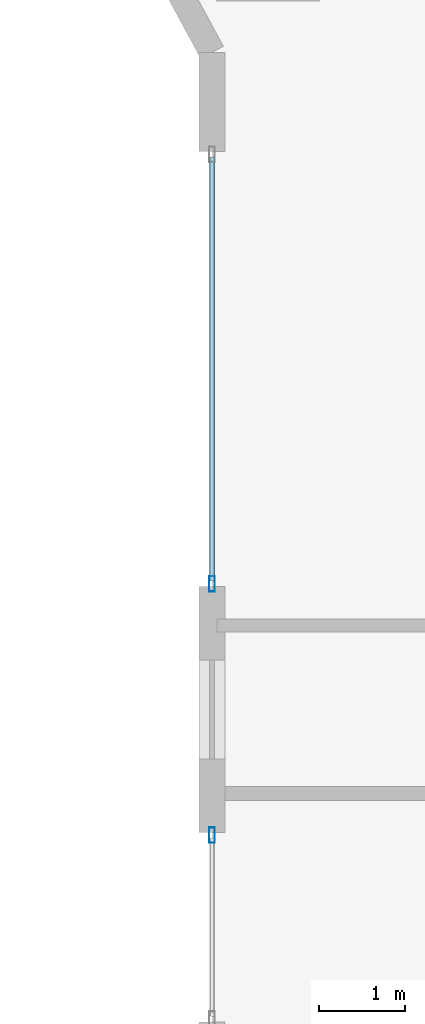
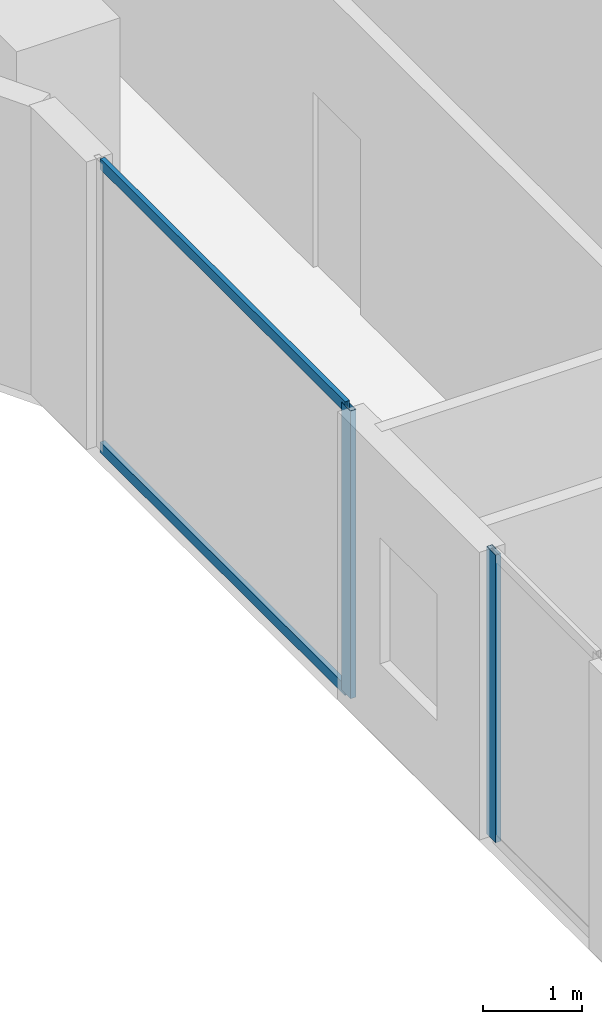
# One storey, part 4 of 32: 4 members, 2 elements without a shape of their own.
"""IFC4 building model written with IfcOpenShell, lengths in metres."""

from ifc_helpers import new_model, si_unit, direction, frame, origin, origin_2d, place, context, subcontext, project, spatial, hollow_rectangle, extrude, material, layer, layer_set, material_profile, profile_set, type_object, element, aggregate, save


model = new_model("IFC4")

# Units and contexts
model_context = context("Model", 3, precision=1e-05, world=origin(), true_north=direction((0.0, 1.0)))
body_context = subcontext(model_context, "Body", "Model", "MODEL_VIEW")
ifc_project = project(units=[si_unit("LENGTHUNIT", "METRE"), si_unit("AREAUNIT", "SQUARE_METRE"), si_unit("VOLUMEUNIT", "CUBIC_METRE"), si_unit("PLANEANGLEUNIT", "RADIAN"), si_unit("MASSUNIT", "GRAM", prefix="KILO")], contexts=[model_context])

# Site, building, storey
site_placement = place(None, origin())
site = spatial("IfcSite", under=ifc_project, at=site_placement, CompositionType="ELEMENT")
building_placement = place(site_placement, origin())
building = spatial("IfcBuilding", under=site, at=building_placement, Name="Zuhayl Quay Hotel", CompositionType="ELEMENT")
storey_placement = place(building_placement, frame((0.0, 0.0, 218.64990234375)))
storey = spatial("IfcBuildingStorey", under=building, at=storey_placement, Name="L55", CompositionType="ELEMENT", Elevation=218.64990234375)

# Curtain wall, member
ifc_material_1 = material(Name="Anodised Aluminium 6063-T6", Category="aluminium")
ifc_layer = layer(ifc_material_1, 0.175048828125, Name="Anodised Aluminium 6063-T6", Category="aluminium")
ifc_layer_set = layer_set([ifc_layer], Name="Anodised Aluminium 6063-T6")
curtain_wall_type = type_object("IfcCurtainWallType", Name="CW_SYS_Z3", PredefinedType="USERDEFINED", material=ifc_layer_set)
curtain_wall_1_placement = place(storey_placement, origin())
curtain_wall_1 = element("IfcCurtainWall", 1, at=curtain_wall_1_placement, inside=storey, type_object=curtain_wall_type, Name="L55 Curtain Wall ENV_L55_E02_CW1", ObjectType="UNITISED CURTAIN WALL", PredefinedType="USERDEFINED")
ifc_material_2 = material(Name="Black-anodised aluminium 6063-T6", Category="aluminium")
ifc_material_profile_1 = material_profile(ifc_material_2, hollow_rectangle(XDim=0.06494140625, YDim=0.179931640625, WallThickness=0.00341796875, at=origin_2d()), Name="ALU180X65")
ifc_profile_set_1 = profile_set([ifc_material_profile_1], Name="Black-anodised aluminium 6063-T6")
member_type_1 = type_object("IfcMemberType", Name="MB_CW_MUL_180", PredefinedType="MULLION", material=ifc_profile_set_1)
member_1_placement = place(storey_placement, frame((-22.10009765625, -0.882568359375, 0.0), z_axis=(0.0, 0.0, 1.0), x_axis=(-1.0, 0.0, 0.0)))
member_1 = element("IfcMember", 2, at=member_1_placement, type_object=member_type_1, Name="CW-Z3 mullion 2", PredefinedType="MULLION", context=body_context, shape_type="SweptSolid", body=[
    extrude(hollow_rectangle(XDim=0.06494140625, YDim=0.179931640625, WallThickness=0.00341796875, at=origin_2d()), origin(), (0.0, 0.0, 1.0), 3.530029296875),
])
aggregate(curtain_wall_1, [member_1])

# Curtain wall, members
curtain_wall_2_placement = place(storey_placement, origin())
curtain_wall_2 = element("IfcCurtainWall", 3, at=curtain_wall_2_placement, inside=storey, type_object=curtain_wall_type, Name="L55 Curtain Wall ENV_L55_E02_CW2", ObjectType="UNITISED CURTAIN WALL", PredefinedType="USERDEFINED")
member_2_placement = place(storey_placement, frame((-22.10009765625, 2.032470703125, 0.0), z_axis=(0.0, 0.0, 1.0), x_axis=(-1.0, 0.0, 0.0)))
member_2 = element("IfcMember", 4, at=member_2_placement, type_object=member_type_1, Name="CW-Z3 mullion 1", PredefinedType="MULLION", context=body_context, shape_type="SweptSolid", body=[
    extrude(hollow_rectangle(XDim=0.06494140625, YDim=0.179931640625, WallThickness=0.00341796875, at=origin_2d()), origin(), (0.0, 0.0, 1.0), 3.530029296875),
])
ifc_material_profile_2 = material_profile(ifc_material_2, hollow_rectangle(XDim=0.054931640625, YDim=0.1298828125, WallThickness=0.0029296875, at=origin_2d()), Name="ALU130X55")
ifc_profile_set_2 = profile_set([ifc_material_profile_2], Name="Black-anodised aluminium 6063-T6")
member_type_2 = type_object("IfcMemberType", Name="MB_CW_TRN_130", PredefinedType="USERDEFINED", material=ifc_profile_set_2)
member_3_placement = place(storey_placement, frame((-22.10009765625, 2.06494140625, 0.027587890625), z_axis=(0.0, 1.0, 0.0), x_axis=(-1.0, 0.0, 0.0)))
member_3 = element("IfcMember", 5, at=member_3_placement, type_object=member_type_2, Name="CW-Z3 transom 1.1", ObjectType="TRANSOM", PredefinedType="USERDEFINED", context=body_context, shape_type="SweptSolid", body=[
    extrude(hollow_rectangle(XDim=0.054931640625, YDim=0.1298828125, WallThickness=0.0029296875, at=origin_2d()), origin(), (0.0, 0.0, 1.0), 4.920166015625),
])
member_4_placement = place(storey_placement, frame((-22.10009765625, 2.06494140625, 3.502685546875), z_axis=(0.0, 1.0, 0.0), x_axis=(-1.0, 0.0, 0.0)))
member_4 = element("IfcMember", 6, at=member_4_placement, type_object=member_type_2, Name="CW-Z3 transom 1.2", ObjectType="TRANSOM", PredefinedType="USERDEFINED", context=body_context, shape_type="SweptSolid", body=[
    extrude(hollow_rectangle(XDim=0.054931640625, YDim=0.1298828125, WallThickness=0.0029296875, at=origin_2d()), origin(), (0.0, 0.0, 1.0), 4.920166015625),
])
aggregate(curtain_wall_2, [member_2, member_3, member_4])

save(model, "model.ifc")
